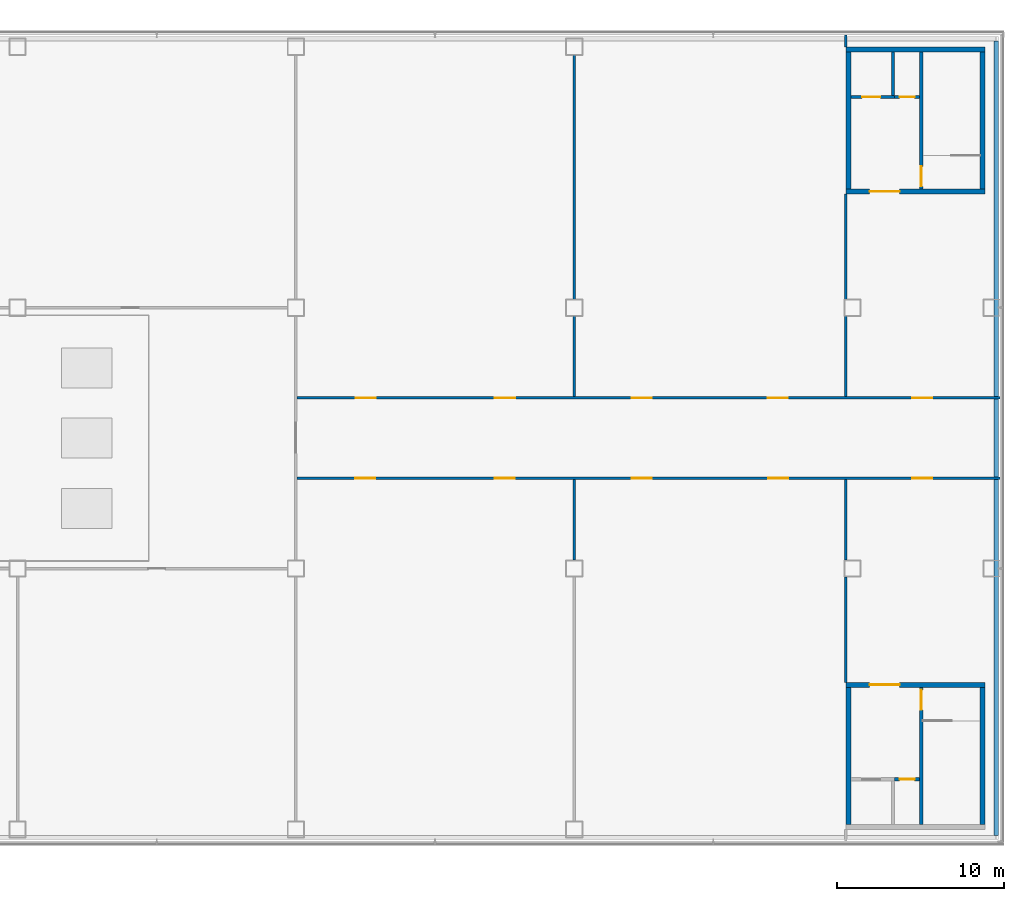
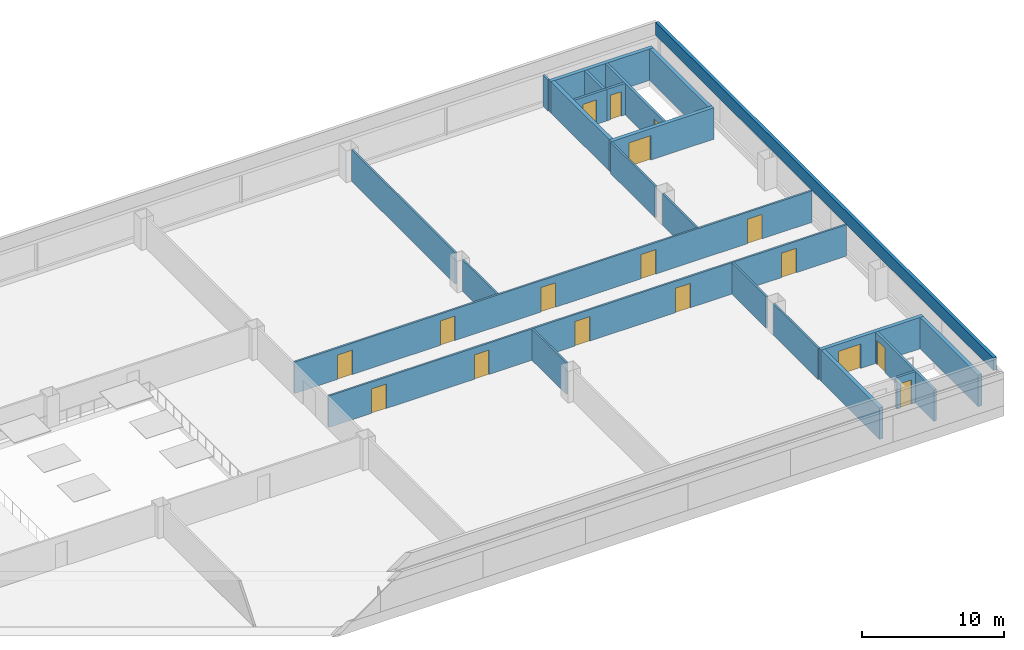
# One storey, part 32 of 42: 24 walls, 17 doors, 17 openings.
"""IFC4 building model written with IfcOpenShell, lengths in metres."""

from ifc_helpers import new_model, si_unit, direction, frame, frame_2d, origin, place, context, subcontext, project, spatial, rectangle, extrude, material, layer, layer_set, type_object, element, fill, save


model = new_model("IFC4")

# Units and contexts
model_context = context("Model", 3, precision=1e-05, world=origin(), true_north=direction((0.0, 1.0)))
body_context = subcontext(model_context, "Body", "Model", "MODEL_VIEW")
ifc_project = project(units=[si_unit("LENGTHUNIT", "METRE"), si_unit("AREAUNIT", "SQUARE_METRE"), si_unit("VOLUMEUNIT", "CUBIC_METRE"), si_unit("PLANEANGLEUNIT", "RADIAN"), si_unit("MASSUNIT", "GRAM", prefix="KILO")], contexts=[model_context])

# Site, building, storey
site_placement = place(None, origin())
site = spatial("IfcSite", under=ifc_project, at=site_placement, CompositionType="ELEMENT")
building_placement = place(site_placement, origin())
building = spatial("IfcBuilding", under=site, at=building_placement, Name="Hakoniwa Tower and Hamabe Station Hall", CompositionType="ELEMENT")
storey_placement = place(building_placement, frame((0.0, 0.0, 19.800048828125)))
storey = spatial("IfcBuildingStorey", under=building, at=storey_placement, Name="L04", CompositionType="ELEMENT", Elevation=19.800048828125)

# Wall, opening, door
ifc_material_1 = material(Name="Concrete block masonry fb10", Category="masonry")
ifc_layer_1 = layer(ifc_material_1, 0.199951171875)
ifc_layer_set_1 = layer_set([ifc_layer_1], Name="BLOCK WALL 200 EI 60")
wall_type_1 = type_object("IfcWallType", Name="BLOCK WALL 200 EI 60", PredefinedType="PARTITIONING", material=ifc_layer_set_1)
wall_1_placement = place(storey_placement, frame((164.85009765625, 20.39990234375, 0.0), z_axis=(0.0, 0.0, 1.0), x_axis=(-1.0, 0.0, 0.0)))
wall_1 = element("IfcWall", 1, at=wall_1_placement, inside=storey, type_object=wall_type_1, Name="Station riser room wall SC2 L04", PredefinedType="PARTITIONING", context=body_context, shape_type="SweptSolid", body=[
    extrude(rectangle(XDim=1.5, YDim=0.199951171875, at=frame_2d((0.75, 0.0))), origin(), (0.0, 0.0, 1.0), 2.699951171875),
])
opening_1_placement = place(wall_1_placement, frame((0.300048828125, 0.0, 0.0)))
opening_1 = element("IfcOpeningElement", 2, at=opening_1_placement, cuts=wall_1, Name="Opening SD-L04-021", PredefinedType="OPENING", context=body_context, shape_type="SweptSolid", body=[
    extrude(rectangle(XDim=0.89990234375, YDim=2.10009765625, at=frame_2d((0.449951171875, 1.050048828125))), frame((0.0, 0.10986328125, 0.0), z_axis=(0.0, -1.0, 0.0), x_axis=(1.0, 0.0, 0.0)), (0.0, 0.0, 1.0), 0.219970703125),
])
ifc_material_2 = material(Name="Steel fire door", Category="steel")
door_type_1 = type_object("IfcDoorType", Name="FIRE DOOR 900X2100 FD30", OperationType="SINGLE_SWING_LEFT", PredefinedType="DOOR", material=ifc_material_2)
door_1_placement = place(opening_1_placement, origin())
door_1 = element("IfcDoor", 3, at=door_1_placement, inside=storey, type_object=door_type_1, Name="Door riser SC2", OperationType="SINGLE_SWING_RIGHT", OverallHeight=2.10009765625, OverallWidth=0.89990234375, PredefinedType="DOOR", context=body_context, shape_type="SweptSolid", body=[
    extrude(rectangle(XDim=0.89990234375, YDim=2.10009765625, at=frame_2d((0.449951171875, 1.050048828125))), frame((0.0, 0.02490234375, 0.0), z_axis=(0.0, -1.0, 0.0), x_axis=(1.0, 0.0, 0.0)), (0.0, 0.0, 1.0), 0.050048828125),
])
fill(opening_1, door_1)

wall_2_placement = place(storey_placement, frame((164.85009765625, -20.39990234375, 0.0), z_axis=(0.0, 0.0, 1.0), x_axis=(-1.0, 0.0, 0.0)))
wall_2 = element("IfcWall", 4, at=wall_2_placement, inside=storey, type_object=wall_type_1, Name="Station riser room wall SC4 L04", PredefinedType="PARTITIONING", context=body_context, shape_type="SweptSolid", body=[
    extrude(rectangle(XDim=1.5, YDim=0.199951171875, at=frame_2d((0.75, 0.0))), origin(), (0.0, 0.0, 1.0), 2.699951171875),
])
opening_2_placement = place(wall_2_placement, frame((0.300048828125, 0.0, 0.0)))
opening_2 = element("IfcOpeningElement", 5, at=opening_2_placement, cuts=wall_2, Name="Opening SD-L04-027", PredefinedType="OPENING", context=body_context, shape_type="SweptSolid", body=[
    extrude(rectangle(XDim=0.89990234375, YDim=2.10009765625, at=frame_2d((0.449951171875, 1.050048828125))), frame((0.0, 0.10986328125, 0.0), z_axis=(0.0, -1.0, 0.0), x_axis=(1.0, 0.0, 0.0)), (0.0, 0.0, 1.0), 0.219970703125),
])
door_2_placement = place(opening_2_placement, origin())
door_2 = element("IfcDoor", 6, at=door_2_placement, inside=storey, type_object=door_type_1, Name="Door riser SC4", OperationType="SINGLE_SWING_LEFT", OverallHeight=2.10009765625, OverallWidth=0.89990234375, PredefinedType="DOOR", context=body_context, shape_type="SweptSolid", body=[
    extrude(rectangle(XDim=0.89990234375, YDim=2.10009765625, at=frame_2d((0.449951171875, 1.050048828125))), frame((0.0, 0.02490234375, 0.0), z_axis=(0.0, -1.0, 0.0), x_axis=(1.0, 0.0, 0.0)), (0.0, 0.0, 1.0), 0.050048828125),
])
fill(opening_2, door_2)

# Wall, openings, doors
ifc_material_3 = material(Name="Fire-rated gypsum board partition")
ifc_layer_2 = layer(ifc_material_3, 0.14990234375)
ifc_layer_set_2 = layer_set([ifc_layer_2], Name="FIRE PARTITION 150 EI 60")
wall_type_2 = type_object("IfcWallType", Name="FIRE PARTITION 150 EI 60", PredefinedType="PARTITIONING", material=ifc_layer_set_2)
wall_3_placement = place(storey_placement, frame((127.625, -2.39990234375, 0.0), z_axis=(0.0, 0.0, 1.0), x_axis=(1.0, 0.0, 0.0)))
wall_3 = element("IfcWall", 7, at=wall_3_placement, inside=storey, type_object=wall_type_2, Name="Partition L04 2", PredefinedType="PARTITIONING", context=body_context, shape_type="SweptSolid", body=[
    extrude(rectangle(XDim=42.02490234375, YDim=0.14990234375, at=frame_2d((21.012451171875, 0.0))), origin(), (0.0, 0.0, 1.0), 2.699951171875),
])
opening_3_placement = place(wall_3_placement, frame((3.469970703125, 0.0, 0.0)))
opening_3 = element("IfcOpeningElement", 8, at=opening_3_placement, cuts=wall_3, Name="Opening SD-L04-006", PredefinedType="OPENING", context=body_context, shape_type="SweptSolid", body=[
    extrude(rectangle(XDim=1.199951171875, YDim=2.10009765625, at=frame_2d((0.60009765625, 1.050048828125))), frame((0.0, 0.0849609375, 0.0), z_axis=(0.0, -1.0, 0.0), x_axis=(1.0, 0.0, 0.0)), (0.0, 0.0, 1.0), 0.169921875),
])
opening_4_placement = place(wall_3_placement, frame((11.820068359375, 0.0, 0.0)))
opening_4 = element("IfcOpeningElement", 9, at=opening_4_placement, cuts=wall_3, Name="Opening SD-L04-007", PredefinedType="OPENING", context=body_context, shape_type="SweptSolid", body=[
    extrude(rectangle(XDim=1.199951171875, YDim=2.10009765625, at=frame_2d((0.60009765625, 1.050048828125))), frame((0.0, 0.0849609375, 0.0), z_axis=(0.0, -1.0, 0.0), x_axis=(1.0, 0.0, 0.0)), (0.0, 0.0, 1.0), 0.169921875),
])
opening_5_placement = place(wall_3_placement, frame((20.010009765625, 0.0, 0.0)))
opening_5 = element("IfcOpeningElement", 10, at=opening_5_placement, cuts=wall_3, Name="Opening SD-L04-008", PredefinedType="OPENING", context=body_context, shape_type="SweptSolid", body=[
    extrude(rectangle(XDim=1.199951171875, YDim=2.10009765625, at=frame_2d((0.60009765625, 1.050048828125))), frame((0.0, 0.0849609375, 0.0), z_axis=(0.0, -1.0, 0.0), x_axis=(1.0, 0.0, 0.0)), (0.0, 0.0, 1.0), 0.169921875),
])
opening_6_placement = place(wall_3_placement, frame((28.159912109375, 0.0, 0.0)))
opening_6 = element("IfcOpeningElement", 11, at=opening_6_placement, cuts=wall_3, Name="Opening SD-L04-009", PredefinedType="OPENING", context=body_context, shape_type="SweptSolid", body=[
    extrude(rectangle(XDim=1.199951171875, YDim=2.10009765625, at=frame_2d((0.60009765625, 1.050048828125))), frame((0.0, 0.0849609375, 0.0), z_axis=(0.0, -1.0, 0.0), x_axis=(1.0, 0.0, 0.0)), (0.0, 0.0, 1.0), 0.169921875),
])
opening_7_placement = place(wall_3_placement, frame((36.780029296875, 0.0, 0.0)))
opening_7 = element("IfcOpeningElement", 12, at=opening_7_placement, cuts=wall_3, Name="Opening SD-L04-010", PredefinedType="OPENING", context=body_context, shape_type="SweptSolid", body=[
    extrude(rectangle(XDim=1.199951171875, YDim=2.10009765625, at=frame_2d((0.60009765625, 1.050048828125))), frame((0.0, 0.0849609375, 0.0), z_axis=(0.0, -1.0, 0.0), x_axis=(1.0, 0.0, 0.0)), (0.0, 0.0, 1.0), 0.169921875),
])
ifc_material_4 = material(Name="Steel fire door", Category="steel")
door_type_2 = type_object("IfcDoorType", Name="FIRE DOOR 1200X2100 FD60", OperationType="SINGLE_SWING_LEFT", PredefinedType="DOOR", material=ifc_material_4)
door_3_placement = place(opening_3_placement, origin())
door_3 = element("IfcDoor", 13, at=door_3_placement, inside=storey, type_object=door_type_2, Name="Door Air-Handling Plant Room 1", OperationType="SINGLE_SWING_RIGHT", OverallHeight=2.10009765625, OverallWidth=1.199951171875, PredefinedType="DOOR", context=body_context, shape_type="SweptSolid", body=[
    extrude(rectangle(XDim=1.199951171875, YDim=2.10009765625, at=frame_2d((0.60009765625, 1.050048828125))), frame((0.0, 0.02490234375, 0.0), z_axis=(0.0, -1.0, 0.0), x_axis=(1.0, 0.0, 0.0)), (0.0, 0.0, 1.0), 0.050048828125),
])
fill(opening_3, door_3)
door_4_placement = place(opening_4_placement, origin())
door_4 = element("IfcDoor", 14, at=door_4_placement, inside=storey, type_object=door_type_2, Name="Door Air-Handling Plant Room 1", OperationType="SINGLE_SWING_RIGHT", OverallHeight=2.10009765625, OverallWidth=1.199951171875, PredefinedType="DOOR", context=body_context, shape_type="SweptSolid", body=[
    extrude(rectangle(XDim=1.199951171875, YDim=2.10009765625, at=frame_2d((0.60009765625, 1.050048828125))), frame((0.0, 0.02490234375, 0.0), z_axis=(0.0, -1.0, 0.0), x_axis=(1.0, 0.0, 0.0)), (0.0, 0.0, 1.0), 0.050048828125),
])
fill(opening_4, door_4)
door_5_placement = place(opening_5_placement, origin())
door_5 = element("IfcDoor", 15, at=door_5_placement, inside=storey, type_object=door_type_2, Name="Door Air-Handling Plant Room 2", OperationType="SINGLE_SWING_RIGHT", OverallHeight=2.10009765625, OverallWidth=1.199951171875, PredefinedType="DOOR", context=body_context, shape_type="SweptSolid", body=[
    extrude(rectangle(XDim=1.199951171875, YDim=2.10009765625, at=frame_2d((0.60009765625, 1.050048828125))), frame((0.0, 0.02490234375, 0.0), z_axis=(0.0, -1.0, 0.0), x_axis=(1.0, 0.0, 0.0)), (0.0, 0.0, 1.0), 0.050048828125),
])
fill(opening_5, door_5)
door_6_placement = place(opening_6_placement, origin())
door_6 = element("IfcDoor", 16, at=door_6_placement, inside=storey, type_object=door_type_2, Name="Door Air-Handling Plant Room 2", OperationType="SINGLE_SWING_LEFT", OverallHeight=2.10009765625, OverallWidth=1.199951171875, PredefinedType="DOOR", context=body_context, shape_type="SweptSolid", body=[
    extrude(rectangle(XDim=1.199951171875, YDim=2.10009765625, at=frame_2d((0.60009765625, 1.050048828125))), frame((0.0, 0.02490234375, 0.0), z_axis=(0.0, -1.0, 0.0), x_axis=(1.0, 0.0, 0.0)), (0.0, 0.0, 1.0), 0.050048828125),
])
fill(opening_6, door_6)
door_7_placement = place(opening_7_placement, origin())
door_7 = element("IfcDoor", 17, at=door_7_placement, inside=storey, type_object=door_type_2, Name="Door Chilled Water Pump Room", OperationType="SINGLE_SWING_RIGHT", OverallHeight=2.10009765625, OverallWidth=1.199951171875, PredefinedType="DOOR", context=body_context, shape_type="SweptSolid", body=[
    extrude(rectangle(XDim=1.199951171875, YDim=2.10009765625, at=frame_2d((0.60009765625, 1.050048828125))), frame((0.0, 0.02490234375, 0.0), z_axis=(0.0, -1.0, 0.0), x_axis=(1.0, 0.0, 0.0)), (0.0, 0.0, 1.0), 0.050048828125),
])
fill(opening_7, door_7)

wall_4_placement = place(storey_placement, frame((127.625, 2.39990234375, 0.0), z_axis=(0.0, 0.0, 1.0), x_axis=(1.0, 0.0, 0.0)))
wall_4 = element("IfcWall", 18, at=wall_4_placement, inside=storey, type_object=wall_type_2, Name="Partition L04 3", PredefinedType="PARTITIONING", context=body_context, shape_type="SweptSolid", body=[
    extrude(rectangle(XDim=42.02490234375, YDim=0.14990234375, at=frame_2d((21.012451171875, 0.0))), origin(), (0.0, 0.0, 1.0), 2.699951171875),
])
opening_8_placement = place(wall_4_placement, frame((11.827392578125, 0.0, 0.0)))
opening_8 = element("IfcOpeningElement", 19, at=opening_8_placement, cuts=wall_4, Name="Opening SD-L04-011", PredefinedType="OPENING", context=body_context, shape_type="SweptSolid", body=[
    extrude(rectangle(XDim=1.199951171875, YDim=2.10009765625, at=frame_2d((0.60009765625, 1.050048828125))), frame((0.0, 0.0849609375, 0.0), z_axis=(0.0, -1.0, 0.0), x_axis=(1.0, 0.0, 0.0)), (0.0, 0.0, 1.0), 0.169921875),
])
opening_9_placement = place(wall_4_placement, frame((3.492431640625, 0.0, 0.0)))
opening_9 = element("IfcOpeningElement", 20, at=opening_9_placement, cuts=wall_4, Name="Opening SD-L04-012", PredefinedType="OPENING", context=body_context, shape_type="SweptSolid", body=[
    extrude(rectangle(XDim=1.199951171875, YDim=2.10009765625, at=frame_2d((0.60009765625, 1.050048828125))), frame((0.0, 0.0849609375, 0.0), z_axis=(0.0, -1.0, 0.0), x_axis=(1.0, 0.0, 0.0)), (0.0, 0.0, 1.0), 0.169921875),
])
opening_10_placement = place(wall_4_placement, frame((28.137451171875, 0.0, 0.0)))
opening_10 = element("IfcOpeningElement", 21, at=opening_10_placement, cuts=wall_4, Name="Opening SD-L04-013", PredefinedType="OPENING", context=body_context, shape_type="SweptSolid", body=[
    extrude(rectangle(XDim=1.199951171875, YDim=2.10009765625, at=frame_2d((0.60009765625, 1.050048828125))), frame((0.0, 0.0849609375, 0.0), z_axis=(0.0, -1.0, 0.0), x_axis=(1.0, 0.0, 0.0)), (0.0, 0.0, 1.0), 0.169921875),
])
opening_11_placement = place(wall_4_placement, frame((20.00244140625, 0.0, 0.0)))
opening_11 = element("IfcOpeningElement", 22, at=opening_11_placement, cuts=wall_4, Name="Opening SD-L04-014", PredefinedType="OPENING", context=body_context, shape_type="SweptSolid", body=[
    extrude(rectangle(XDim=1.199951171875, YDim=2.10009765625, at=frame_2d((0.60009765625, 1.050048828125))), frame((0.0, 0.0849609375, 0.0), z_axis=(0.0, -1.0, 0.0), x_axis=(1.0, 0.0, 0.0)), (0.0, 0.0, 1.0), 0.169921875),
])
opening_12_placement = place(wall_4_placement, frame((36.764892578125, 0.0, 0.0)))
opening_12 = element("IfcOpeningElement", 23, at=opening_12_placement, cuts=wall_4, Name="Opening SD-L04-015", PredefinedType="OPENING", context=body_context, shape_type="SweptSolid", body=[
    extrude(rectangle(XDim=1.199951171875, YDim=2.10009765625, at=frame_2d((0.60009765625, 1.050048828125))), frame((0.0, 0.0849609375, 0.0), z_axis=(0.0, -1.0, 0.0), x_axis=(1.0, 0.0, 0.0)), (0.0, 0.0, 1.0), 0.169921875),
])
door_8_placement = place(opening_8_placement, origin())
door_8 = element("IfcDoor", 24, at=door_8_placement, inside=storey, type_object=door_type_2, Name="Door Electrical Switch Room", OperationType="SINGLE_SWING_LEFT", OverallHeight=2.10009765625, OverallWidth=1.199951171875, PredefinedType="DOOR", context=body_context, shape_type="SweptSolid", body=[
    extrude(rectangle(XDim=1.199951171875, YDim=2.10009765625, at=frame_2d((0.60009765625, 1.050048828125))), frame((0.0, 0.02490234375, 0.0), z_axis=(0.0, -1.0, 0.0), x_axis=(1.0, 0.0, 0.0)), (0.0, 0.0, 1.0), 0.050048828125),
])
fill(opening_8, door_8)
door_9_placement = place(opening_9_placement, origin())
door_9 = element("IfcDoor", 25, at=door_9_placement, inside=storey, type_object=door_type_2, Name="Door Electrical Switch Room", OperationType="SINGLE_SWING_RIGHT", OverallHeight=2.10009765625, OverallWidth=1.199951171875, PredefinedType="DOOR", context=body_context, shape_type="SweptSolid", body=[
    extrude(rectangle(XDim=1.199951171875, YDim=2.10009765625, at=frame_2d((0.60009765625, 1.050048828125))), frame((0.0, 0.02490234375, 0.0), z_axis=(0.0, -1.0, 0.0), x_axis=(1.0, 0.0, 0.0)), (0.0, 0.0, 1.0), 0.050048828125),
])
fill(opening_9, door_9)
door_10_placement = place(opening_10_placement, origin())
door_10 = element("IfcDoor", 26, at=door_10_placement, inside=storey, type_object=door_type_2, Name="Door UPS and Battery Room", OperationType="SINGLE_SWING_LEFT", OverallHeight=2.10009765625, OverallWidth=1.199951171875, PredefinedType="DOOR", context=body_context, shape_type="SweptSolid", body=[
    extrude(rectangle(XDim=1.199951171875, YDim=2.10009765625, at=frame_2d((0.60009765625, 1.050048828125))), frame((0.0, 0.02490234375, 0.0), z_axis=(0.0, -1.0, 0.0), x_axis=(1.0, 0.0, 0.0)), (0.0, 0.0, 1.0), 0.050048828125),
])
fill(opening_10, door_10)
door_11_placement = place(opening_11_placement, origin())
door_11 = element("IfcDoor", 27, at=door_11_placement, inside=storey, type_object=door_type_2, Name="Door UPS and Battery Room", OperationType="SINGLE_SWING_RIGHT", OverallHeight=2.10009765625, OverallWidth=1.199951171875, PredefinedType="DOOR", context=body_context, shape_type="SweptSolid", body=[
    extrude(rectangle(XDim=1.199951171875, YDim=2.10009765625, at=frame_2d((0.60009765625, 1.050048828125))), frame((0.0, 0.02490234375, 0.0), z_axis=(0.0, -1.0, 0.0), x_axis=(1.0, 0.0, 0.0)), (0.0, 0.0, 1.0), 0.050048828125),
])
fill(opening_11, door_11)
door_12_placement = place(opening_12_placement, origin())
door_12 = element("IfcDoor", 28, at=door_12_placement, inside=storey, type_object=door_type_2, Name="Door Telecommunications Room", OperationType="SINGLE_SWING_RIGHT", OverallHeight=2.10009765625, OverallWidth=1.199951171875, PredefinedType="DOOR", context=body_context, shape_type="SweptSolid", body=[
    extrude(rectangle(XDim=1.199951171875, YDim=2.10009765625, at=frame_2d((0.60009765625, 1.050048828125))), frame((0.0, 0.02490234375, 0.0), z_axis=(0.0, -1.0, 0.0), x_axis=(1.0, 0.0, 0.0)), (0.0, 0.0, 1.0), 0.050048828125),
])
fill(opening_12, door_12)

# Walls
for number, where, z_axis, x_axis, name in (
    (29, (144.18994140625, -7.300048828125, 0.0), (0.0, 0.0, 1.0), (0.0, 1.0, 0.0), "Partition L04 11"),
    (30, (144.18994140625, 2.47509765625, 0.0), (0.0, 0.0, 1.0), (0.0, 1.0, 0.0), "Partition L04 12"),
):
    element("IfcWall", number, at=place(storey_placement, frame(where, z_axis=z_axis, x_axis=x_axis)), inside=storey, type_object=wall_type_2, Name=name, PredefinedType="PARTITIONING", context=body_context, shape_type="SweptSolid", body=[
        extrude(rectangle(XDim=4.824951171875, YDim=0.14990234375, at=frame_2d((2.41259765625, 0.0))), origin(), (0.0, 0.0, 1.0), 2.699951171875),
    ])
wall_5_placement = place(storey_placement, frame((144.18994140625, 8.300048828125, 0.0), z_axis=(0.0, 0.0, 1.0), x_axis=(0.0, 1.0, 0.0)))
element("IfcWall", 31, at=wall_5_placement, inside=storey, type_object=wall_type_2, Name="Partition L04 12", PredefinedType="PARTITIONING", context=body_context, shape_type="SweptSolid", body=[
    extrude(rectangle(XDim=14.599853515625, YDim=0.14990234375, at=frame_2d((7.2998046875, 0.0))), origin(), (0.0, 0.0, 1.0), 2.699951171875),
])
wall_6_placement = place(storey_placement, frame((160.429931640625, -14.60009765625, 0.0), z_axis=(0.0, 0.0, 1.0), x_axis=(0.0, 1.0, 0.0)))
element("IfcWall", 32, at=wall_6_placement, inside=storey, type_object=wall_type_2, Name="Partition L04 14", PredefinedType="PARTITIONING", context=body_context, shape_type="SweptSolid", body=[
    extrude(rectangle(XDim=6.300048828125, YDim=0.14990234375, at=frame_2d((3.14990234375, 0.0))), origin(), (0.0, 0.0, 1.0), 2.699951171875),
])
for number, where, z_axis, x_axis, name in (
    (33, (160.429931640625, -7.300048828125, 0.0), (0.0, 0.0, 1.0), (0.0, 1.0, 0.0), "Partition L04 14"),
    (34, (160.429931640625, 2.47509765625, 0.0), (0.0, 0.0, 1.0), (0.0, 1.0, 0.0), "Partition L04 15"),
):
    element("IfcWall", number, at=place(storey_placement, frame(where, z_axis=z_axis, x_axis=x_axis)), inside=storey, type_object=wall_type_2, Name=name, PredefinedType="PARTITIONING", context=body_context, shape_type="SweptSolid", body=[
        extrude(rectangle(XDim=4.824951171875, YDim=0.14990234375, at=frame_2d((2.41259765625, 0.0))), origin(), (0.0, 0.0, 1.0), 2.699951171875),
    ])
wall_7_placement = place(storey_placement, frame((160.429931640625, 8.300048828125, 0.0), z_axis=(0.0, 0.0, 1.0), x_axis=(0.0, 1.0, 0.0)))
element("IfcWall", 35, at=wall_7_placement, inside=storey, type_object=wall_type_2, Name="Partition L04 15", PredefinedType="PARTITIONING", context=body_context, shape_type="SweptSolid", body=[
    extrude(rectangle(XDim=6.300048828125, YDim=0.14990234375, at=frame_2d((3.14990234375, 0.0))), origin(), (0.0, 0.0, 1.0), 2.699951171875),
])
wall_8_placement = place(storey_placement, frame((160.429931640625, 23.39990234375, 0.0), z_axis=(0.0, 0.0, 1.0), x_axis=(0.0, 1.0, 0.0)))
element("IfcWall", 36, at=wall_8_placement, inside=storey, type_object=wall_type_2, Name="Partition L04 16", PredefinedType="PARTITIONING", context=body_context, shape_type="SweptSolid", body=[
    extrude(rectangle(XDim=0.7001953125, YDim=0.14990234375, at=frame_2d((0.35009765625, 0.0))), origin(), (0.0, 0.0, 1.0), 2.699951171875),
])
ifc_material_5 = material(Name="Concrete C30", Category="concrete")
ifc_layer_3 = layer(ifc_material_5, 0.25)
ifc_layer_set_3 = layer_set([ifc_layer_3], Name="PARAPET WALL 250")
wall_type_3 = type_object("IfcWallType", Name="PARAPET WALL 250", PredefinedType="PARAPET", material=ifc_layer_set_3)
wall_9_placement = place(storey_placement, frame((169.425048828125, -23.75, 3.199951171875), z_axis=(0.0, 0.0, 1.0), x_axis=(0.0, 1.0, 0.0)))
element("IfcWall", 37, at=wall_9_placement, inside=storey, type_object=wall_type_3, Name="Station roof parapet", PredefinedType="PARAPET", context=body_context, shape_type="SweptSolid", body=[
    extrude(rectangle(XDim=47.5, YDim=0.25, at=frame_2d((23.75, 0.0))), origin(), (0.0, 0.0, 1.0), 1.10009765625),
])

# Wall, opening, door
ifc_material_6 = material(Name="Concrete C60", Category="concrete")
ifc_layer_4 = layer(ifc_material_6, 0.199951171875)
ifc_layer_set_4 = layer_set([ifc_layer_4], Name="RC WALL 200 EI 120 C60")
wall_type_4 = type_object("IfcWallType", Name="RC WALL 200 EI 120 C60", PredefinedType="SHEAR", material=ifc_layer_set_4)
wall_10_placement = place(storey_placement, frame((164.949951171875, 23.10009765625, 0.0), z_axis=(0.0, 0.0, 1.0), x_axis=(0.0, -1.0, 0.0)))
wall_10 = element("IfcWall", 38, at=wall_10_placement, inside=storey, type_object=wall_type_4, Name="Station stair wall SC2 L04", PredefinedType="SHEAR", context=body_context, shape_type="SweptSolid", body=[
    extrude(rectangle(XDim=8.2001953125, YDim=0.199951171875, at=frame_2d((4.10009765625, 0.0))), origin(), (0.0, 0.0, 1.0), 2.699951171875),
])
opening_13_placement = place(wall_10_placement, frame((6.85009765625, 0.0, 0.0)))
opening_13 = element("IfcOpeningElement", 39, at=opening_13_placement, cuts=wall_10, Name="Opening SD-L04-020", PredefinedType="OPENING", context=body_context, shape_type="SweptSolid", body=[
    extrude(rectangle(XDim=1.199951171875, YDim=2.10009765625, at=frame_2d((0.60009765625, 1.050048828125))), frame((0.0, 0.10986328125, 0.0), z_axis=(0.0, -1.0, 0.0), x_axis=(1.0, 0.0, 0.0)), (0.0, 0.0, 1.0), 0.219970703125),
])
door_13_placement = place(opening_13_placement, origin())
door_13 = element("IfcDoor", 40, at=door_13_placement, inside=storey, type_object=door_type_2, Name="Door escape stair SC2", OperationType="SINGLE_SWING_LEFT", OverallHeight=2.10009765625, OverallWidth=1.199951171875, PredefinedType="DOOR", context=body_context, shape_type="SweptSolid", body=[
    extrude(rectangle(XDim=1.199951171875, YDim=2.10009765625, at=frame_2d((0.60009765625, 1.050048828125))), frame((0.0, 0.02490234375, 0.0), z_axis=(0.0, -1.0, 0.0), x_axis=(1.0, 0.0, 0.0)), (0.0, 0.0, 1.0), 0.050048828125),
])
fill(opening_13, door_13)

wall_11_placement = place(storey_placement, frame((164.949951171875, -23.10009765625, 0.0), z_axis=(0.0, 0.0, 1.0), x_axis=(0.0, 1.0, 0.0)))
wall_11 = element("IfcWall", 41, at=wall_11_placement, inside=storey, type_object=wall_type_4, Name="Station stair wall SC4 L04", PredefinedType="SHEAR", context=body_context, shape_type="SweptSolid", body=[
    extrude(rectangle(XDim=8.2001953125, YDim=0.199951171875, at=frame_2d((4.10009765625, 0.0))), origin(), (0.0, 0.0, 1.0), 2.699951171875),
])
opening_14_placement = place(wall_11_placement, frame((6.85009765625, 0.0, 0.0)))
opening_14 = element("IfcOpeningElement", 42, at=opening_14_placement, cuts=wall_11, Name="Opening SD-L04-026", PredefinedType="OPENING", context=body_context, shape_type="SweptSolid", body=[
    extrude(rectangle(XDim=1.199951171875, YDim=2.10009765625, at=frame_2d((0.60009765625, 1.050048828125))), frame((0.0, 0.10986328125, 0.0), z_axis=(0.0, -1.0, 0.0), x_axis=(1.0, 0.0, 0.0)), (0.0, 0.0, 1.0), 0.219970703125),
])
door_14_placement = place(opening_14_placement, origin())
door_14 = element("IfcDoor", 43, at=door_14_placement, inside=storey, type_object=door_type_2, Name="Door escape stair SC4", OperationType="SINGLE_SWING_LEFT", OverallHeight=2.10009765625, OverallWidth=1.199951171875, PredefinedType="DOOR", context=body_context, shape_type="SweptSolid", body=[
    extrude(rectangle(XDim=1.199951171875, YDim=2.10009765625, at=frame_2d((0.60009765625, 1.050048828125))), frame((0.0, 0.02490234375, 0.0), z_axis=(0.0, -1.0, 0.0), x_axis=(1.0, 0.0, 0.0)), (0.0, 0.0, 1.0), 0.050048828125),
])
fill(opening_14, door_14)

# Wall
ifc_material_7 = material(Name="Concrete C60", Category="concrete")
ifc_layer_5 = layer(ifc_material_7, 0.199951171875)
ifc_layer_set_5 = layer_set([ifc_layer_5], Name="RC WALL 200 EI 60 C60")
wall_type_5 = type_object("IfcWallType", Name="RC WALL 200 EI 60 C60", PredefinedType="SHEAR", material=ifc_layer_set_5)
wall_12_placement = place(storey_placement, frame((163.25, 23.10009765625, 0.0), z_axis=(0.0, 0.0, 1.0), x_axis=(0.0, -1.0, 0.0)))
element("IfcWall", 44, at=wall_12_placement, inside=storey, type_object=wall_type_5, Name="Station hoistway wall SC2 L04", PredefinedType="SHEAR", context=body_context, shape_type="SweptSolid", body=[
    extrude(rectangle(XDim=2.60009765625, YDim=0.199951171875, at=frame_2d((1.300048828125, 0.0))), origin(), (0.0, 0.0, 1.0), 2.699951171875),
])

# Wall, opening, door
wall_13_placement = place(storey_placement, frame((163.35009765625, 20.39990234375, 0.0), z_axis=(0.0, 0.0, 1.0), x_axis=(-1.0, 0.0, 0.0)))
wall_13 = element("IfcWall", 45, at=wall_13_placement, inside=storey, type_object=wall_type_5, Name="Station hoistway front wall SC2 L04", PredefinedType="SHEAR", context=body_context, shape_type="SweptSolid", body=[
    extrude(rectangle(XDim=2.6201171875, YDim=0.199951171875, at=frame_2d((1.31005859375, 0.0))), origin(), (0.0, 0.0, 1.0), 2.699951171875),
])
opening_15_placement = place(wall_13_placement, frame((0.85009765625, 0.0, 0.0)))
opening_15 = element("IfcOpeningElement", 46, at=opening_15_placement, cuts=wall_13, Name="Opening LD-SL2-L04", PredefinedType="OPENING", context=body_context, shape_type="SweptSolid", body=[
    extrude(rectangle(XDim=1.10009765625, YDim=2.10009765625, at=frame_2d((0.550048828125, 1.050048828125))), frame((0.0, 0.10986328125, 0.0), z_axis=(0.0, -1.0, 0.0), x_axis=(1.0, 0.0, 0.0)), (0.0, 0.0, 1.0), 0.219970703125),
])
ifc_material_8 = material(Name="Stainless steel SUS304", Category="steel")
door_type_3 = type_object("IfcDoorType", Name="LIFT LANDING DOOR 1100X2100", OperationType="DOUBLE_DOOR_SLIDING", PredefinedType="DOOR", material=ifc_material_8)
door_15_placement = place(opening_15_placement, origin())
door_15 = element("IfcDoor", 47, at=door_15_placement, inside=storey, type_object=door_type_3, Name="Lift landing door SL2 L04", OperationType="DOUBLE_DOOR_SLIDING", OverallHeight=2.10009765625, OverallWidth=1.10009765625, PredefinedType="DOOR", context=body_context, shape_type="SweptSolid", body=[
    extrude(rectangle(XDim=1.10009765625, YDim=2.10009765625, at=frame_2d((0.550048828125, 1.050048828125))), frame((0.0, 0.02490234375, 0.0), z_axis=(0.0, -1.0, 0.0), x_axis=(1.0, 0.0, 0.0)), (0.0, 0.0, 1.0), 0.050048828125),
])
fill(opening_15, door_15)

# Wall
ifc_material_9 = material(Name="Concrete C60", Category="concrete")
ifc_layer_6 = layer(ifc_material_9, 0.300048828125)
ifc_layer_set_6 = layer_set([ifc_layer_6], Name="RC WALL 300 EI 120 C60")
wall_type_6 = type_object("IfcWallType", Name="RC WALL 300 EI 120 C60", PredefinedType="SHEAR", material=ifc_layer_set_6)
wall_14_placement = place(storey_placement, frame((168.75, 23.25, 0.0), z_axis=(0.0, 0.0, 1.0), x_axis=(-1.0, 0.0, 0.0)))
element("IfcWall", 48, at=wall_14_placement, inside=storey, type_object=wall_type_6, Name="Station core wall SC2 outer-v L04", PredefinedType="SHEAR", context=body_context, shape_type="SweptSolid", body=[
    extrude(rectangle(XDim=8.320068359375, YDim=0.300048828125, at=frame_2d((4.16015625, 0.0))), origin(), (0.0, 0.0, 1.0), 2.699951171875),
])

# Wall, opening, door
wall_15_placement = place(storey_placement, frame((168.75, 14.75, 0.0), z_axis=(0.0, 0.0, 1.0), x_axis=(-1.0, 0.0, 0.0)))
wall_15 = element("IfcWall", 49, at=wall_15_placement, inside=storey, type_object=wall_type_6, Name="Station core wall SC2 inner-v L04", PredefinedType="SHEAR", context=body_context, shape_type="SweptSolid", body=[
    extrude(rectangle(XDim=8.320068359375, YDim=0.300048828125, at=frame_2d((4.16015625, 0.0))), origin(), (0.0, 0.0, 1.0), 2.699951171875),
])
opening_16_placement = place(wall_15_placement, frame((5.10009765625, 0.0, 0.0)))
opening_16 = element("IfcOpeningElement", 50, at=opening_16_placement, cuts=wall_15, Name="Opening SD-L04-019", PredefinedType="OPENING", context=body_context, shape_type="SweptSolid", body=[
    extrude(rectangle(XDim=1.800048828125, YDim=2.10009765625, at=frame_2d((0.89990234375, 1.050048828125))), frame((0.0, 0.159912109375, 0.0), z_axis=(0.0, -1.0, 0.0), x_axis=(1.0, 0.0, 0.0)), (0.0, 0.0, 1.0), 0.320068359375),
])
ifc_material_10 = material(Name="Steel fire door", Category="steel")
door_type_4 = type_object("IfcDoorType", Name="FIRE DOUBLE DOOR 1800X2100 FD60", OperationType="DOUBLE_DOOR_SINGLE_SWING", PredefinedType="DOOR", material=ifc_material_10)
door_16_placement = place(opening_16_placement, origin())
door_16 = element("IfcDoor", 51, at=door_16_placement, inside=storey, type_object=door_type_4, Name="Door lobby SC2", OperationType="DOUBLE_DOOR_SINGLE_SWING", OverallHeight=2.10009765625, OverallWidth=1.800048828125, PredefinedType="DOOR", context=body_context, shape_type="SweptSolid", body=[
    extrude(rectangle(XDim=1.800048828125, YDim=2.10009765625, at=frame_2d((0.89990234375, 1.050048828125))), frame((0.0, 0.02490234375, 0.0), z_axis=(0.0, -1.0, 0.0), x_axis=(1.0, 0.0, 0.0)), (0.0, 0.0, 1.0), 0.050048828125),
])
fill(opening_16, door_16)

# Walls
for number, where, z_axis, x_axis, name in (
    (52, (168.60009765625, 23.10009765625, 0.0), (0.0, 0.0, 1.0), (0.0, -1.0, 0.0), "Station core wall SC2 outer-u L04"),
    (53, (160.580078125, 23.10009765625, 0.0), (0.0, 0.0, 1.0), (0.0, -1.0, 0.0), "Station core wall SC2 inner-u L04"),
):
    element("IfcWall", number, at=place(storey_placement, frame(where, z_axis=z_axis, x_axis=x_axis)), inside=storey, type_object=wall_type_6, Name=name, PredefinedType="SHEAR", context=body_context, shape_type="SweptSolid", body=[
        extrude(rectangle(XDim=8.2001953125, YDim=0.300048828125, at=frame_2d((4.10009765625, 0.0))), origin(), (0.0, 0.0, 1.0), 2.699951171875),
    ])

# Wall, opening, door
wall_16_placement = place(storey_placement, frame((168.75, -14.75, 0.0), z_axis=(0.0, 0.0, 1.0), x_axis=(-1.0, 0.0, 0.0)))
wall_16 = element("IfcWall", 54, at=wall_16_placement, inside=storey, type_object=wall_type_6, Name="Station core wall SC4 inner-v L04", PredefinedType="SHEAR", context=body_context, shape_type="SweptSolid", body=[
    extrude(rectangle(XDim=8.320068359375, YDim=0.300048828125, at=frame_2d((4.16015625, 0.0))), origin(), (0.0, 0.0, 1.0), 2.699951171875),
])
opening_17_placement = place(wall_16_placement, frame((5.10009765625, 0.0, 0.0)))
opening_17 = element("IfcOpeningElement", 55, at=opening_17_placement, cuts=wall_16, Name="Opening SD-L04-025", PredefinedType="OPENING", context=body_context, shape_type="SweptSolid", body=[
    extrude(rectangle(XDim=1.800048828125, YDim=2.10009765625, at=frame_2d((0.89990234375, 1.050048828125))), frame((0.0, 0.159912109375, 0.0), z_axis=(0.0, -1.0, 0.0), x_axis=(1.0, 0.0, 0.0)), (0.0, 0.0, 1.0), 0.320068359375),
])
door_17_placement = place(opening_17_placement, origin())
door_17 = element("IfcDoor", 56, at=door_17_placement, inside=storey, type_object=door_type_4, Name="Door lobby SC4", OperationType="DOUBLE_DOOR_SINGLE_SWING", OverallHeight=2.10009765625, OverallWidth=1.800048828125, PredefinedType="DOOR", context=body_context, shape_type="SweptSolid", body=[
    extrude(rectangle(XDim=1.800048828125, YDim=2.10009765625, at=frame_2d((0.89990234375, 1.050048828125))), frame((0.0, 0.02490234375, 0.0), z_axis=(0.0, -1.0, 0.0), x_axis=(1.0, 0.0, 0.0)), (0.0, 0.0, 1.0), 0.050048828125),
])
fill(opening_17, door_17)

# Walls
for number, where, z_axis, x_axis, name in (
    (57, (168.60009765625, -23.10009765625, 0.0), (0.0, 0.0, 1.0), (0.0, 1.0, 0.0), "Station core wall SC4 outer-u L04"),
    (58, (160.580078125, -23.10009765625, 0.0), (0.0, 0.0, 1.0), (0.0, 1.0, 0.0), "Station core wall SC4 inner-u L04"),
):
    element("IfcWall", number, at=place(storey_placement, frame(where, z_axis=z_axis, x_axis=x_axis)), inside=storey, type_object=wall_type_6, Name=name, PredefinedType="SHEAR", context=body_context, shape_type="SweptSolid", body=[
        extrude(rectangle(XDim=8.2001953125, YDim=0.300048828125, at=frame_2d((4.10009765625, 0.0))), origin(), (0.0, 0.0, 1.0), 2.699951171875),
    ])

save(model, "model.ifc")
